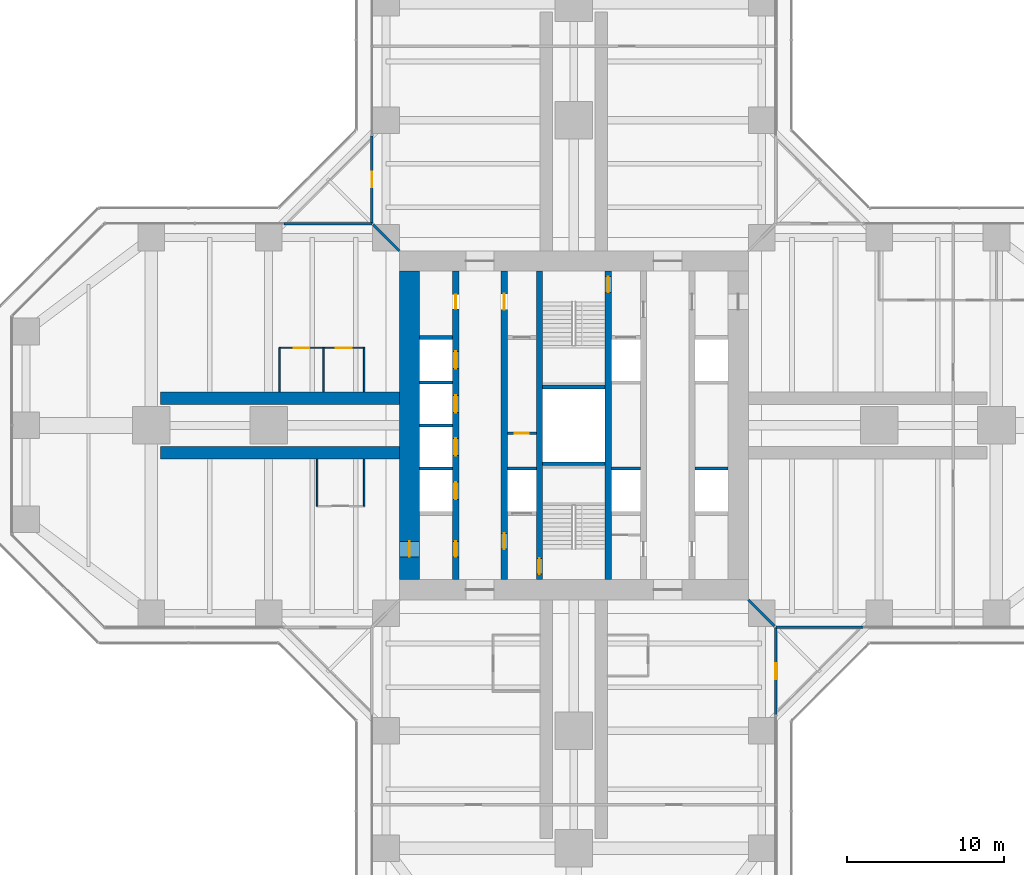
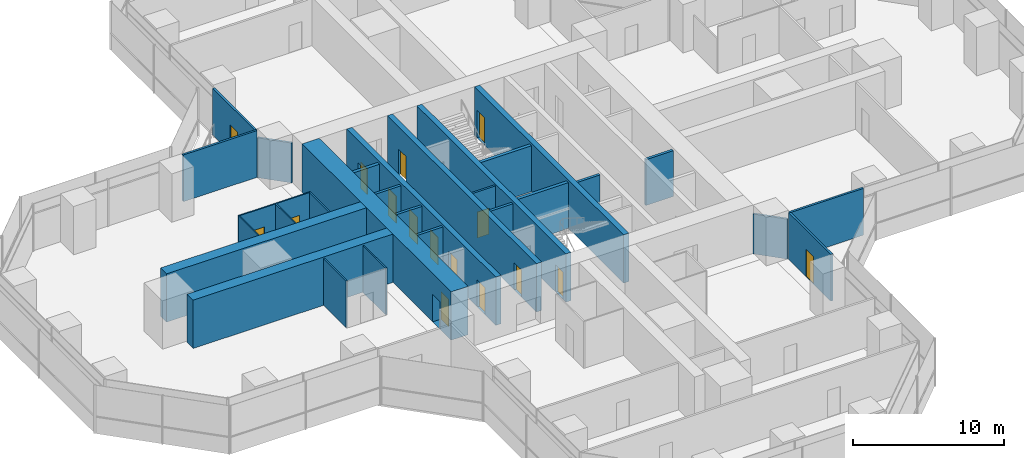
# One storey, part 18 of 22: 30 walls, 16 doors, 16 openings.
"""IFC4 building model written with IfcOpenShell, lengths in metres."""

from ifc_helpers import new_model, si_unit, direction, frame, frame_2d, origin, place, context, subcontext, project, spatial, rectangle, extrude, material, layer, layer_set, type_object, element, fill, save


model = new_model("IFC4")

# Units and contexts
model_context = context("Model", 3, precision=1e-05, world=origin(), true_north=direction((0.0, 1.0)))
body_context = subcontext(model_context, "Body", "Model", "MODEL_VIEW")
ifc_project = project(units=[si_unit("LENGTHUNIT", "METRE"), si_unit("AREAUNIT", "SQUARE_METRE"), si_unit("VOLUMEUNIT", "CUBIC_METRE"), si_unit("PLANEANGLEUNIT", "RADIAN"), si_unit("MASSUNIT", "GRAM", prefix="KILO")], contexts=[model_context])

# Site, building, storey
site_placement = place(None, origin())
site = spatial("IfcSite", under=ifc_project, at=site_placement, CompositionType="ELEMENT")
building_placement = place(site_placement, origin())
building = spatial("IfcBuilding", under=site, at=building_placement, Name="Mizan Broadcast Tower", CompositionType="ELEMENT")
storey_placement = place(building_placement, frame((0.0, 0.0, 94.199951171875)))
storey = spatial("IfcBuildingStorey", under=building, at=storey_placement, Name="L20", CompositionType="ELEMENT", Elevation=94.199951171875)

# Wall, openings, doors
ifc_material_1 = material(Name="Concrete C70/85", Category="concrete")
ifc_layer_1 = layer(ifc_material_1, 0.39990234375)
ifc_layer_set_1 = layer_set([ifc_layer_1], Name="Concrete C70/85")
wall_type_1 = type_object("IfcWallType", Name="CORE INTERNAL WALL 400", PredefinedType="SHEAR", material=ifc_layer_set_1)
wall_1_placement = place(storey_placement, frame((-7.550048828125, -9.85009765625, 0.0), z_axis=(0.0, 0.0, 1.0), x_axis=(0.0, 1.0, 0.0)))
wall_1 = element("IfcWall", 1, at=wall_1_placement, inside=storey, type_object=wall_type_1, Name="Core wall CORE/XW1", PredefinedType="SHEAR", context=body_context, shape_type="SweptSolid", body=[
    extrude(rectangle(XDim=19.7001953125, YDim=0.39990234375, at=frame_2d((9.85009765625, 0.0))), origin(), (0.0, 0.0, 1.0), 3.900146484375),
])
opening_1_placement = place(wall_1_placement, frame((1.449951171875, 0.0, 0.0)))
opening_1 = element("IfcOpeningElement", 2, at=opening_1_placement, cuts=wall_1, Name="Opening D10F", PredefinedType="OPENING", context=body_context, shape_type="SweptSolid", body=[
    extrude(rectangle(XDim=1.0, YDim=2.199951171875, at=frame_2d((0.5, 1.10009765625))), frame((0.0, 0.2099609375, 0.0), z_axis=(0.0, -1.0, 0.0), x_axis=(1.0, 0.0, 0.0)), (0.0, 0.0, 1.0), 0.419921875),
])
opening_2_placement = place(wall_1_placement, frame((17.300048828125, 0.0, 0.0)))
opening_2 = element("IfcOpeningElement", 3, at=opening_2_placement, cuts=wall_1, Name="Opening D09", PredefinedType="OPENING", context=body_context, shape_type="SweptSolid", body=[
    extrude(rectangle(XDim=0.89990234375, YDim=2.10009765625, at=frame_2d((0.449951171875, 1.050048828125))), frame((0.0, 0.2099609375, 0.0), z_axis=(0.0, -1.0, 0.0), x_axis=(1.0, 0.0, 0.0)), (0.0, 0.0, 1.0), 0.419921875),
])
opening_3_placement = place(wall_1_placement, frame((5.125, 0.0, 0.0)))
opening_3 = element("IfcOpeningElement", 4, at=opening_3_placement, cuts=wall_1, Name="Opening LD", PredefinedType="OPENING", context=body_context, shape_type="SweptSolid", body=[
    extrude(rectangle(XDim=1.10009765625, YDim=2.199951171875, at=frame_2d((0.550048828125, 1.10009765625))), frame((0.0, 0.2099609375, 0.0), z_axis=(0.0, -1.0, 0.0), x_axis=(1.0, 0.0, 0.0)), (0.0, 0.0, 1.0), 0.419921875),
])
opening_4_placement = place(wall_1_placement, frame((7.925048828125, 0.0, 0.0)))
opening_4 = element("IfcOpeningElement", 5, at=opening_4_placement, cuts=wall_1, Name="Opening LD", PredefinedType="OPENING", context=body_context, shape_type="SweptSolid", body=[
    extrude(rectangle(XDim=1.10009765625, YDim=2.199951171875, at=frame_2d((0.550048828125, 1.10009765625))), frame((0.0, 0.2099609375, 0.0), z_axis=(0.0, -1.0, 0.0), x_axis=(1.0, 0.0, 0.0)), (0.0, 0.0, 1.0), 0.419921875),
])
opening_5_placement = place(wall_1_placement, frame((10.675048828125, 0.0, 0.0)))
opening_5 = element("IfcOpeningElement", 6, at=opening_5_placement, cuts=wall_1, Name="Opening LD", PredefinedType="OPENING", context=body_context, shape_type="SweptSolid", body=[
    extrude(rectangle(XDim=1.10009765625, YDim=2.199951171875, at=frame_2d((0.550048828125, 1.10009765625))), frame((0.0, 0.2099609375, 0.0), z_axis=(0.0, -1.0, 0.0), x_axis=(1.0, 0.0, 0.0)), (0.0, 0.0, 1.0), 0.419921875),
])
opening_6_placement = place(wall_1_placement, frame((13.47509765625, 0.0, 0.0)))
opening_6 = element("IfcOpeningElement", 7, at=opening_6_placement, cuts=wall_1, Name="Opening LD", PredefinedType="OPENING", context=body_context, shape_type="SweptSolid", body=[
    extrude(rectangle(XDim=1.10009765625, YDim=2.199951171875, at=frame_2d((0.550048828125, 1.10009765625))), frame((0.0, 0.2099609375, 0.0), z_axis=(0.0, -1.0, 0.0), x_axis=(1.0, 0.0, 0.0)), (0.0, 0.0, 1.0), 0.419921875),
])
ifc_material_2 = material(Name="Steel door leaf in steel frame", Category="steel")
door_type_1 = type_object("IfcDoorType", Name="FIRE DOOR 1000 FD90", OperationType="SINGLE_SWING_LEFT", PredefinedType="DOOR", material=ifc_material_2)
door_1_placement = place(opening_1_placement, origin())
door_1 = element("IfcDoor", 8, at=door_1_placement, inside=storey, type_object=door_type_1, Name="West core passage door", OperationType="SINGLE_SWING_LEFT", OverallHeight=2.199951171875, OverallWidth=1.0, PredefinedType="DOOR", context=body_context, shape_type="SweptSolid", body=[
    extrude(rectangle(XDim=1.0, YDim=2.199951171875, at=frame_2d((0.5, 1.10009765625))), frame((0.0, 0.02490234375, 0.0), z_axis=(0.0, -1.0, 0.0), x_axis=(1.0, 0.0, 0.0)), (0.0, 0.0, 1.0), 0.050048828125),
])
fill(opening_1, door_1)
ifc_material_3 = material(Name="Steel door leaf in steel frame", Category="steel")
door_type_2 = type_object("IfcDoorType", Name="LIFT LANDING DOOR 1100", OperationType="SLIDING_TO_LEFT", PredefinedType="DOOR", material=ifc_material_3)
door_2_placement = place(opening_3_placement, origin())
door_2 = element("IfcDoor", 9, at=door_2_placement, inside=storey, type_object=door_type_2, Name="Landing door LA1", OperationType="SLIDING_TO_LEFT", OverallHeight=2.199951171875, OverallWidth=1.10009765625, PredefinedType="DOOR", context=body_context, shape_type="SweptSolid", body=[
    extrude(rectangle(XDim=1.10009765625, YDim=2.199951171875, at=frame_2d((0.550048828125, 1.10009765625))), frame((0.0, 0.02490234375, 0.0), z_axis=(0.0, -1.0, 0.0), x_axis=(1.0, 0.0, 0.0)), (0.0, 0.0, 1.0), 0.050048828125),
])
fill(opening_3, door_2)
door_3_placement = place(opening_4_placement, origin())
door_3 = element("IfcDoor", 10, at=door_3_placement, inside=storey, type_object=door_type_2, Name="Landing door LA2", OperationType="SLIDING_TO_LEFT", OverallHeight=2.199951171875, OverallWidth=1.10009765625, PredefinedType="DOOR", context=body_context, shape_type="SweptSolid", body=[
    extrude(rectangle(XDim=1.10009765625, YDim=2.199951171875, at=frame_2d((0.550048828125, 1.10009765625))), frame((0.0, 0.02490234375, 0.0), z_axis=(0.0, -1.0, 0.0), x_axis=(1.0, 0.0, 0.0)), (0.0, 0.0, 1.0), 0.050048828125),
])
fill(opening_4, door_3)
door_4_placement = place(opening_5_placement, origin())
door_4 = element("IfcDoor", 11, at=door_4_placement, inside=storey, type_object=door_type_2, Name="Landing door LA3", OperationType="SLIDING_TO_LEFT", OverallHeight=2.199951171875, OverallWidth=1.10009765625, PredefinedType="DOOR", context=body_context, shape_type="SweptSolid", body=[
    extrude(rectangle(XDim=1.10009765625, YDim=2.199951171875, at=frame_2d((0.550048828125, 1.10009765625))), frame((0.0, 0.02490234375, 0.0), z_axis=(0.0, -1.0, 0.0), x_axis=(1.0, 0.0, 0.0)), (0.0, 0.0, 1.0), 0.050048828125),
])
fill(opening_5, door_4)
door_5_placement = place(opening_6_placement, origin())
door_5 = element("IfcDoor", 12, at=door_5_placement, inside=storey, type_object=door_type_2, Name="Landing door LA4", OperationType="SLIDING_TO_LEFT", OverallHeight=2.199951171875, OverallWidth=1.10009765625, PredefinedType="DOOR", context=body_context, shape_type="SweptSolid", body=[
    extrude(rectangle(XDim=1.10009765625, YDim=2.199951171875, at=frame_2d((0.550048828125, 1.10009765625))), frame((0.0, 0.02490234375, 0.0), z_axis=(0.0, -1.0, 0.0), x_axis=(1.0, 0.0, 0.0)), (0.0, 0.0, 1.0), 0.050048828125),
])
fill(opening_6, door_5)
ifc_material_4 = material(Name="Timber door leaf in aluminium frame", Category="wood")
door_type_3 = type_object("IfcDoorType", Name="TOILET DOOR 900", OperationType="SINGLE_SWING_LEFT", PredefinedType="DOOR", material=ifc_material_4)
door_6_placement = place(opening_2_placement, origin())
door_6 = element("IfcDoor", 13, at=door_6_placement, inside=storey, type_object=door_type_3, Name="Male WC door", OperationType="SINGLE_SWING_RIGHT", OverallHeight=2.10009765625, OverallWidth=0.89990234375, PredefinedType="DOOR", context=body_context, shape_type="SweptSolid", body=[
    extrude(rectangle(XDim=0.89990234375, YDim=2.10009765625, at=frame_2d((0.449951171875, 1.050048828125))), frame((0.0, 0.02490234375, 0.0), z_axis=(0.0, -1.0, 0.0), x_axis=(1.0, 0.0, 0.0)), (0.0, 0.0, 1.0), 0.050048828125),
])
fill(opening_2, door_6)

wall_2_placement = place(storey_placement, frame((-4.449951171875, -9.85009765625, 0.0), z_axis=(0.0, 0.0, 1.0), x_axis=(0.0, 1.0, 0.0)))
wall_2 = element("IfcWall", 14, at=wall_2_placement, inside=storey, type_object=wall_type_1, Name="Core wall CORE/XWH", PredefinedType="SHEAR", context=body_context, shape_type="SweptSolid", body=[
    extrude(rectangle(XDim=19.7001953125, YDim=0.39990234375, at=frame_2d((9.85009765625, 0.0))), origin(), (0.0, 0.0, 1.0), 3.900146484375),
])
opening_7_placement = place(wall_2_placement, frame((1.949951171875, 0.0, 0.0)))
opening_7 = element("IfcOpeningElement", 15, at=opening_7_placement, cuts=wall_2, Name="Opening D10F", PredefinedType="OPENING", context=body_context, shape_type="SweptSolid", body=[
    extrude(rectangle(XDim=1.0, YDim=2.199951171875, at=frame_2d((0.5, 1.10009765625))), frame((0.0, 0.2099609375, 0.0), z_axis=(0.0, -1.0, 0.0), x_axis=(1.0, 0.0, 0.0)), (0.0, 0.0, 1.0), 0.419921875),
])
opening_8_placement = place(wall_2_placement, frame((17.25, 0.0, 0.0)))
opening_8 = element("IfcOpeningElement", 16, at=opening_8_placement, cuts=wall_2, Name="Opening D10A", PredefinedType="OPENING", context=body_context, shape_type="SweptSolid", body=[
    extrude(rectangle(XDim=1.0, YDim=2.10009765625, at=frame_2d((0.5, 1.050048828125))), frame((0.0, 0.2099609375, 0.0), z_axis=(0.0, -1.0, 0.0), x_axis=(1.0, 0.0, 0.0)), (0.0, 0.0, 1.0), 0.419921875),
])
ifc_material_5 = material(Name="Timber door leaf in aluminium frame", Category="wood")
door_type_4 = type_object("IfcDoorType", Name="ACCESSIBLE WC DOOR 1000", OperationType="SLIDING_TO_LEFT", PredefinedType="DOOR", material=ifc_material_5)
door_7_placement = place(opening_8_placement, origin())
door_7 = element("IfcDoor", 17, at=door_7_placement, inside=storey, type_object=door_type_4, Name="Accessible WC door", OperationType="SLIDING_TO_LEFT", OverallHeight=2.10009765625, OverallWidth=1.0, PredefinedType="DOOR", context=body_context, shape_type="SweptSolid", body=[
    extrude(rectangle(XDim=1.0, YDim=2.10009765625, at=frame_2d((0.5, 1.050048828125))), frame((0.0, 0.02490234375, 0.0), z_axis=(0.0, -1.0, 0.0), x_axis=(1.0, 0.0, 0.0)), (0.0, 0.0, 1.0), 0.050048828125),
])
fill(opening_8, door_7)
door_8_placement = place(opening_7_placement, origin())
door_8 = element("IfcDoor", 18, at=door_8_placement, inside=storey, type_object=door_type_1, Name="Firefighting lobby A door", OperationType="SINGLE_SWING_LEFT", OverallHeight=2.199951171875, OverallWidth=1.0, PredefinedType="DOOR", context=body_context, shape_type="SweptSolid", body=[
    extrude(rectangle(XDim=1.0, YDim=2.199951171875, at=frame_2d((0.5, 1.10009765625))), frame((0.0, 0.02490234375, 0.0), z_axis=(0.0, -1.0, 0.0), x_axis=(1.0, 0.0, 0.0)), (0.0, 0.0, 1.0), 0.050048828125),
])
fill(opening_7, door_8)

# Wall, opening, door
wall_3_placement = place(storey_placement, frame((-2.199951171875, -9.85009765625, 0.0), z_axis=(0.0, 0.0, 1.0), x_axis=(0.0, 1.0, 0.0)))
wall_3 = element("IfcWall", 19, at=wall_3_placement, inside=storey, type_object=wall_type_1, Name="Core wall CORE/XW2", PredefinedType="SHEAR", context=body_context, shape_type="SweptSolid", body=[
    extrude(rectangle(XDim=19.7001953125, YDim=0.39990234375, at=frame_2d((9.85009765625, 0.0))), origin(), (0.0, 0.0, 1.0), 3.900146484375),
])
opening_9_placement = place(wall_3_placement, frame((0.35009765625, 0.0, 0.0)))
opening_9 = element("IfcOpeningElement", 20, at=opening_9_placement, cuts=wall_3, Name="Opening D10S", PredefinedType="OPENING", context=body_context, shape_type="SweptSolid", body=[
    extrude(rectangle(XDim=1.0, YDim=2.199951171875, at=frame_2d((0.5, 1.10009765625))), frame((0.0, 0.2099609375, 0.0), z_axis=(0.0, -1.0, 0.0), x_axis=(1.0, 0.0, 0.0)), (0.0, 0.0, 1.0), 0.419921875),
])
ifc_material_6 = material(Name="Steel door leaf in steel frame", Category="steel")
door_type_5 = type_object("IfcDoorType", Name="STAIR DOOR 1000 FD90S", OperationType="SINGLE_SWING_RIGHT", PredefinedType="DOOR", material=ifc_material_6)
door_9_placement = place(opening_9_placement, origin())
door_9 = element("IfcDoor", 21, at=door_9_placement, inside=storey, type_object=door_type_5, Name="Stair A door", OperationType="SINGLE_SWING_RIGHT", OverallHeight=2.199951171875, OverallWidth=1.0, PredefinedType="DOOR", context=body_context, shape_type="SweptSolid", body=[
    extrude(rectangle(XDim=1.0, YDim=2.199951171875, at=frame_2d((0.5, 1.10009765625))), frame((0.0, 0.02490234375, 0.0), z_axis=(0.0, -1.0, 0.0), x_axis=(1.0, 0.0, 0.0)), (0.0, 0.0, 1.0), 0.050048828125),
])
fill(opening_9, door_9)

wall_4_placement = place(storey_placement, frame((2.199951171875, 9.85009765625, 0.0), z_axis=(0.0, 0.0, 1.0), x_axis=(0.0, -1.0, 0.0)))
wall_4 = element("IfcWall", 22, at=wall_4_placement, inside=storey, type_object=wall_type_1, Name="Core wall CORE/XW2E", PredefinedType="SHEAR", context=body_context, shape_type="SweptSolid", body=[
    extrude(rectangle(XDim=19.7001953125, YDim=0.39990234375, at=frame_2d((9.85009765625, 0.0))), origin(), (0.0, 0.0, 1.0), 3.900146484375),
])
opening_10_placement = place(wall_4_placement, frame((0.35009765625, 0.0, 0.0)))
opening_10 = element("IfcOpeningElement", 23, at=opening_10_placement, cuts=wall_4, Name="Opening D10S", PredefinedType="OPENING", context=body_context, shape_type="SweptSolid", body=[
    extrude(rectangle(XDim=1.0, YDim=2.199951171875, at=frame_2d((0.5, 1.10009765625))), frame((0.0, 0.2099609375, 0.0), z_axis=(0.0, -1.0, 0.0), x_axis=(1.0, 0.0, 0.0)), (0.0, 0.0, 1.0), 0.419921875),
])
door_10_placement = place(opening_10_placement, origin())
door_10 = element("IfcDoor", 24, at=door_10_placement, inside=storey, type_object=door_type_5, Name="Stair B door", OperationType="SINGLE_SWING_RIGHT", OverallHeight=2.199951171875, OverallWidth=1.0, PredefinedType="DOOR", context=body_context, shape_type="SweptSolid", body=[
    extrude(rectangle(XDim=1.0, YDim=2.199951171875, at=frame_2d((0.5, 1.10009765625))), frame((0.0, 0.02490234375, 0.0), z_axis=(0.0, -1.0, 0.0), x_axis=(1.0, 0.0, 0.0)), (0.0, 0.0, 1.0), 0.050048828125),
])
fill(opening_10, door_10)

ifc_material_7 = material(Name="Concrete blockwork", Category="masonry")
ifc_layer_2 = layer(ifc_material_7, 0.14990234375)
ifc_layer_set_2 = layer_set([ifc_layer_2], Name="Concrete blockwork")
wall_type_2 = type_object("IfcWallType", Name="CORE PARTITION 150", PredefinedType="SOLIDWALL", material=ifc_layer_set_2)
wall_5_placement = place(storey_placement, frame((-4.25, -0.5, 0.0), z_axis=(0.0, 0.0, 1.0), x_axis=(1.0, 0.0, 0.0)))
wall_5 = element("IfcWall", 25, at=wall_5_placement, inside=storey, type_object=wall_type_2, Name="Core partition CORE/XP2", PredefinedType="SOLIDWALL", context=body_context, shape_type="SweptSolid", body=[
    extrude(rectangle(XDim=1.85009765625, YDim=0.14990234375, at=frame_2d((0.925048828125, 0.0))), origin(), (0.0, 0.0, 1.0), 3.77001953125),
])
opening_11_placement = place(wall_5_placement, frame((0.47509765625, 0.0, 0.0)))
opening_11 = element("IfcOpeningElement", 26, at=opening_11_placement, cuts=wall_5, Name="Opening D09F", PredefinedType="OPENING", context=body_context, shape_type="SweptSolid", body=[
    extrude(rectangle(XDim=0.89990234375, YDim=2.10009765625, at=frame_2d((0.449951171875, 1.050048828125))), frame((0.0, 0.0849609375, 0.0), z_axis=(0.0, -1.0, 0.0), x_axis=(1.0, 0.0, 0.0)), (0.0, 0.0, 1.0), 0.169921875),
])
ifc_material_8 = material(Name="Steel door leaf in steel frame", Category="steel")
door_type_6 = type_object("IfcDoorType", Name="CORE ROOM DOOR 900 FD90", OperationType="SINGLE_SWING_LEFT", PredefinedType="DOOR", material=ifc_material_8)
door_11_placement = place(opening_11_placement, origin())
door_11 = element("IfcDoor", 27, at=door_11_placement, inside=storey, type_object=door_type_6, Name="Staff shower room door", OperationType="SINGLE_SWING_RIGHT", OverallHeight=2.10009765625, OverallWidth=0.89990234375, PredefinedType="DOOR", context=body_context, shape_type="SweptSolid", body=[
    extrude(rectangle(XDim=0.89990234375, YDim=2.10009765625, at=frame_2d((0.449951171875, 1.050048828125))), frame((0.0, 0.02490234375, 0.0), z_axis=(0.0, -1.0, 0.0), x_axis=(1.0, 0.0, 0.0)), (0.0, 0.0, 1.0), 0.050048828125),
])
fill(opening_11, door_11)

ifc_material_9 = material(Name="Concrete C70/85", Category="concrete")
ifc_layer_3 = layer(ifc_material_9, 1.300048828125)
ifc_layer_set_3 = layer_set([ifc_layer_3], Name="Concrete C70/85")
wall_type_3 = type_object("IfcWallType", Name="CORE WALL 1300", PredefinedType="SHEAR", material=ifc_layer_set_3)
wall_6_placement = place(storey_placement, frame((-10.5, 9.85009765625, 0.0), z_axis=(0.0, 0.0, 1.0), x_axis=(0.0, -1.0, 0.0)))
wall_6 = element("IfcWall", 28, at=wall_6_placement, inside=storey, type_object=wall_type_3, Name="Core wall W L20", PredefinedType="SHEAR", context=body_context, shape_type="SweptSolid", body=[
    extrude(rectangle(XDim=19.7001953125, YDim=1.300048828125, at=frame_2d((9.85009765625, 0.0))), origin(), (0.0, 0.0, 1.0), 3.900146484375),
])
opening_12_placement = place(wall_6_placement, frame((17.25, 0.0, 0.0)))
opening_12 = element("IfcOpeningElement", 29, at=opening_12_placement, cuts=wall_6, Name="Opening D10F", PredefinedType="OPENING", context=body_context, shape_type="SweptSolid", body=[
    extrude(rectangle(XDim=1.0, YDim=2.199951171875, at=frame_2d((0.5, 1.10009765625))), frame((0.0, 0.659912109375, 0.0), z_axis=(0.0, -1.0, 0.0), x_axis=(1.0, 0.0, 0.0)), (0.0, 0.0, 1.0), 1.320068359375),
])
door_12_placement = place(opening_12_placement, origin())
door_12 = element("IfcDoor", 30, at=door_12_placement, inside=storey, type_object=door_type_1, Name="West core passage arm door", OperationType="SINGLE_SWING_RIGHT", OverallHeight=2.199951171875, OverallWidth=1.0, PredefinedType="DOOR", context=body_context, shape_type="SweptSolid", body=[
    extrude(rectangle(XDim=1.0, YDim=2.199951171875, at=frame_2d((0.5, 1.10009765625))), frame((0.0, 0.02490234375, 0.0), z_axis=(0.0, -1.0, 0.0), x_axis=(1.0, 0.0, 0.0)), (0.0, 0.0, 1.0), 0.050048828125),
])
fill(opening_12, door_12)

# Wall
ifc_material_10 = material(Name="Aluminium framed glazed screen", Category="aluminium")
ifc_layer_4 = layer(ifc_material_10, 0.159912109375)
ifc_layer_set_4 = layer_set([ifc_layer_4], Name="Aluminium framed glazed screen")
wall_type_4 = type_object("IfcWallType", Name="GLAZED SCREEN WALL 160", PredefinedType="SOLIDWALL", material=ifc_layer_set_4)
wall_7_placement = place(storey_placement, frame((12.89990234375, -12.89990234375, 0.0), z_axis=(0.0, 0.0, 1.0), x_axis=(1.0, 0.0, 0.0)))
element("IfcWall", 31, at=wall_7_placement, inside=storey, type_object=wall_type_4, Name="Winter garden screen L20 E", PredefinedType="SOLIDWALL", context=body_context, shape_type="SweptSolid", body=[
    extrude(rectangle(XDim=5.60009765625, YDim=0.159912109375, at=frame_2d((2.800048828125, 0.0))), origin(), (0.0, 0.0, 1.0), 3.77001953125),
])

# Wall, opening, door
wall_8_placement = place(storey_placement, frame((-12.89990234375, 18.5, 0.0), z_axis=(0.0, 0.0, 1.0), x_axis=(0.0, -1.0, 0.0)))
wall_8 = element("IfcWall", 32, at=wall_8_placement, inside=storey, type_object=wall_type_4, Name="Winter garden screen L20 N", PredefinedType="SOLIDWALL", context=body_context, shape_type="SweptSolid", body=[
    extrude(rectangle(XDim=5.60009765625, YDim=0.159912109375, at=frame_2d((2.800048828125, 0.0))), origin(), (0.0, 0.0, 1.0), 3.77001953125),
])
opening_13_placement = place(wall_8_placement, frame((2.300048828125, 0.0, 0.0)))
opening_13 = element("IfcOpeningElement", 33, at=opening_13_placement, cuts=wall_8, Name="Opening WGD", PredefinedType="OPENING", context=body_context, shape_type="SweptSolid", body=[
    extrude(rectangle(XDim=1.0, YDim=2.199951171875, at=frame_2d((0.5, 1.10009765625))), frame((0.0, 0.08984375, 0.0), z_axis=(0.0, -1.0, 0.0), x_axis=(1.0, 0.0, 0.0)), (0.0, 0.0, 1.0), 0.179931640625),
])
ifc_material_11 = material(Name="Aluminium framed glazed door", Category="aluminium")
door_type_7 = type_object("IfcDoorType", Name="WINTER GARDEN DOOR 1000 GLAZED", OperationType="SINGLE_SWING_LEFT", PredefinedType="DOOR", material=ifc_material_11)
door_13_placement = place(opening_13_placement, origin())
door_13 = element("IfcDoor", 34, at=door_13_placement, inside=storey, type_object=door_type_7, Name="Winter garden door L20 N", OperationType="SINGLE_SWING_RIGHT", OverallHeight=2.199951171875, OverallWidth=1.0, PredefinedType="DOOR", context=body_context, shape_type="SweptSolid", body=[
    extrude(rectangle(XDim=1.0, YDim=2.199951171875, at=frame_2d((0.5, 1.10009765625))), frame((0.0, 0.02490234375, 0.0), z_axis=(0.0, -1.0, 0.0), x_axis=(1.0, 0.0, 0.0)), (0.0, 0.0, 1.0), 0.050048828125),
])
fill(opening_13, door_13)

# Wall
wall_9_placement = place(storey_placement, frame((-12.89990234375, 12.89990234375, 0.0), z_axis=(0.0, 0.0, 1.0), x_axis=(-1.0, 0.0, 0.0)))
element("IfcWall", 35, at=wall_9_placement, inside=storey, type_object=wall_type_4, Name="Winter garden screen L20 W", PredefinedType="SOLIDWALL", context=body_context, shape_type="SweptSolid", body=[
    extrude(rectangle(XDim=5.60009765625, YDim=0.159912109375, at=frame_2d((2.800048828125, 0.0))), origin(), (0.0, 0.0, 1.0), 3.77001953125),
])

# Wall, opening, door
wall_10_placement = place(storey_placement, frame((12.89990234375, -18.5, 0.0), z_axis=(0.0, 0.0, 1.0), x_axis=(0.0, 1.0, 0.0)))
wall_10 = element("IfcWall", 36, at=wall_10_placement, inside=storey, type_object=wall_type_4, Name="Winter garden screen L20 S", PredefinedType="SOLIDWALL", context=body_context, shape_type="SweptSolid", body=[
    extrude(rectangle(XDim=5.60009765625, YDim=0.159912109375, at=frame_2d((2.800048828125, 0.0))), origin(), (0.0, 0.0, 1.0), 3.77001953125),
])
opening_14_placement = place(wall_10_placement, frame((2.300048828125, 0.0, 0.0)))
opening_14 = element("IfcOpeningElement", 37, at=opening_14_placement, cuts=wall_10, Name="Opening WGD", PredefinedType="OPENING", context=body_context, shape_type="SweptSolid", body=[
    extrude(rectangle(XDim=1.0, YDim=2.199951171875, at=frame_2d((0.5, 1.10009765625))), frame((0.0, 0.08984375, 0.0), z_axis=(0.0, -1.0, 0.0), x_axis=(1.0, 0.0, 0.0)), (0.0, 0.0, 1.0), 0.179931640625),
])
door_14_placement = place(opening_14_placement, origin())
door_14 = element("IfcDoor", 38, at=door_14_placement, inside=storey, type_object=door_type_7, Name="Winter garden door L20 S", OperationType="SINGLE_SWING_RIGHT", OverallHeight=2.199951171875, OverallWidth=1.0, PredefinedType="DOOR", context=body_context, shape_type="SweptSolid", body=[
    extrude(rectangle(XDim=1.0, YDim=2.199951171875, at=frame_2d((0.5, 1.10009765625))), frame((0.0, 0.02490234375, 0.0), z_axis=(0.0, -1.0, 0.0), x_axis=(1.0, 0.0, 0.0)), (0.0, 0.0, 1.0), 0.050048828125),
])
fill(opening_14, door_14)

# Walls
ifc_material_12 = material(Name="Concrete blockwork", Category="masonry")
ifc_layer_5 = layer(ifc_material_12, 0.199951171875)
ifc_layer_set_5 = layer_set([ifc_layer_5], Name="Concrete blockwork")
wall_type_5 = type_object("IfcWallType", Name="LIFT SHAFT WALL 200", PredefinedType="SOLIDWALL", material=ifc_layer_set_5)
wall_11_placement = place(storey_placement, frame((-9.85009765625, -2.75, 0.0), z_axis=(0.0, 0.0, 1.0), x_axis=(1.0, 0.0, 0.0)))
element("IfcWall", 39, at=wall_11_placement, inside=storey, type_object=wall_type_5, Name="Lift shaft wall CORE/SW1-1", PredefinedType="SOLIDWALL", context=body_context, shape_type="SweptSolid", body=[
    extrude(rectangle(XDim=2.10009765625, YDim=0.199951171875, at=frame_2d((1.050048828125, 0.0))), origin(), (0.0, 0.0, 1.0), 3.699951171875),
])
for number, where, z_axis, x_axis, name in (
    (40, (-4.25, -2.75, 0.0), (0.0, 0.0, 1.0), (1.0, 0.0, 0.0), "Lift shaft wall CORE/SW2-1"),
    (41, (2.39990234375, -2.75, 0.0), (0.0, 0.0, 1.0), (1.0, 0.0, 0.0), "Lift shaft wall CORE/SE2-1"),
):
    element("IfcWall", number, at=place(storey_placement, frame(where, z_axis=z_axis, x_axis=x_axis)), inside=storey, type_object=wall_type_5, Name=name, PredefinedType="SOLIDWALL", context=body_context, shape_type="SweptSolid", body=[
        extrude(rectangle(XDim=1.85009765625, YDim=0.199951171875, at=frame_2d((0.925048828125, 0.0))), origin(), (0.0, 0.0, 1.0), 3.699951171875),
    ])
for number, where, z_axis, x_axis, name in (
    (42, (7.75, -2.75, 0.0), (0.0, 0.0, 1.0), (1.0, 0.0, 0.0), "Lift shaft wall CORE/SE1-1"),
    (43, (-9.85009765625, 0.0, 0.0), (0.0, 0.0, 1.0), (1.0, 0.0, 0.0), "Lift shaft wall CORE/SW1-2"),
    (44, (-9.85009765625, 2.75, 0.0), (0.0, 0.0, 1.0), (1.0, 0.0, 0.0), "Lift shaft wall CORE/SW1-3"),
):
    element("IfcWall", number, at=place(storey_placement, frame(where, z_axis=z_axis, x_axis=x_axis)), inside=storey, type_object=wall_type_5, Name=name, PredefinedType="SOLIDWALL", context=body_context, shape_type="SweptSolid", body=[
        extrude(rectangle(XDim=2.10009765625, YDim=0.199951171875, at=frame_2d((1.050048828125, 0.0))), origin(), (0.0, 0.0, 1.0), 3.699951171875),
    ])
ifc_material_13 = material(Name="Concrete blockwork", Category="masonry")
ifc_layer_6 = layer(ifc_material_13, 0.25)
ifc_layer_set_6 = layer_set([ifc_layer_6], Name="Concrete blockwork")
wall_type_6 = type_object("IfcWallType", Name="LOBBY ENCLOSURE WALL 250", PredefinedType="SOLIDWALL", material=ifc_layer_set_6)
wall_12_placement = place(storey_placement, frame((-9.85009765625, 5.625, 0.0), z_axis=(0.0, 0.0, 1.0), x_axis=(1.0, 0.0, 0.0)))
element("IfcWall", 45, at=wall_12_placement, inside=storey, type_object=wall_type_6, Name="Lobby enclosure wall CORE/BW1N", PredefinedType="SOLIDWALL", context=body_context, shape_type="SweptSolid", body=[
    extrude(rectangle(XDim=2.10009765625, YDim=0.25, at=frame_2d((1.050048828125, 0.0))), origin(), (0.0, 0.0, 1.0), 3.699951171875),
])
for number, where, z_axis, x_axis, name in (
    (46, (-2.0, -2.449951171875, 0.0), (0.0, 0.0, 1.0), (1.0, 0.0, 0.0), "Lobby enclosure wall CORE/STA"),
    (47, (-2.0, 2.449951171875, 0.0), (0.0, 0.0, 1.0), (1.0, 0.0, 0.0), "Lobby enclosure wall CORE/STB"),
):
    element("IfcWall", number, at=place(storey_placement, frame(where, z_axis=z_axis, x_axis=x_axis)), inside=storey, type_object=wall_type_6, Name=name, PredefinedType="SOLIDWALL", context=body_context, shape_type="SweptSolid", body=[
        extrude(rectangle(XDim=4.0, YDim=0.25, at=frame_2d((2.0, 0.0))), origin(), (0.0, 0.0, 1.0), 3.699951171875),
    ])
ifc_material_14 = material(Name="Gypsum board on steel studs", Category="steel")
ifc_layer_7 = layer(ifc_material_14, 0.14990234375)
ifc_layer_set_7 = layer_set([ifc_layer_7], Name="Gypsum board on steel studs")
wall_type_7 = type_object("IfcWallType", Name="PARTITION 150", PredefinedType="PARTITIONING", material=ifc_layer_set_7)
for number, where, z_axis, x_axis, name in (
    (48, (-11.14990234375, 11.14990234375, 0.0), (0.0, 0.0, 1.0), (-0.707106781187, 0.707106781187, 0.0), "Partition PT/DGWN"),
    (49, (11.14990234375, -11.14990234375, 0.0), (0.0, 0.0, 1.0), (0.707106781187, -0.707106781187, 0.0), "Partition PT/DGES"),
):
    element("IfcWall", number, at=place(storey_placement, frame(where, z_axis=z_axis, x_axis=x_axis)), inside=storey, type_object=wall_type_7, Name=name, PredefinedType="PARTITIONING", context=body_context, shape_type="SweptSolid", body=[
        extrude(rectangle(XDim=2.362060546875, YDim=0.14990234375, at=frame_2d((1.18115234375, 0.0))), origin(), (0.0, 0.0, 1.0), 3.219970703125),
    ])
ifc_material_15 = material(Name="Glazed aluminium partition on aluminium track", Category="aluminium")
ifc_layer_8 = layer(ifc_material_15, 0.10009765625)
ifc_layer_set_8 = layer_set([ifc_layer_8], Name="Glazed aluminium partition on aluminium track")
wall_type_8 = type_object("IfcWallType", Name="PARTITION GLAZED OFFICE FRONT 100", PredefinedType="PARTITIONING", material=ifc_layer_set_8)
for number, where, z_axis, x_axis, name in (
    (50, (-13.39990234375, -2.14990234375, 0.0), (0.0, 0.0, 1.0), (0.0, -1.0, 0.0), "Glazed office front PT/WKP0a"),
    (51, (-16.39990234375, -2.14990234375, 0.0), (0.0, 0.0, 1.0), (0.0, -1.0, 0.0), "Glazed office front PT/WKP0b"),
):
    element("IfcWall", number, at=place(storey_placement, frame(where, z_axis=z_axis, x_axis=x_axis)), inside=storey, type_object=wall_type_8, Name=name, PredefinedType="PARTITIONING", context=body_context, shape_type="SweptSolid", body=[
        extrude(rectangle(XDim=3.0, YDim=0.10009765625, at=frame_2d((1.5, 0.0))), origin(), (0.0, 0.0, 1.0), 3.77001953125),
    ])
for number, where, z_axis, x_axis, name in (
    (52, (-13.39990234375, 2.14990234375, 0.0), (0.0, 0.0, 1.0), (0.0, 1.0, 0.0), "Glazed office front PT/WKN0a"),
    (53, (-16.0, 2.14990234375, 0.0), (0.0, 0.0, 1.0), (0.0, 1.0, 0.0), "Glazed office front PT/WKN0b"),
):
    element("IfcWall", number, at=place(storey_placement, frame(where, z_axis=z_axis, x_axis=x_axis)), inside=storey, type_object=wall_type_8, Name=name, PredefinedType="PARTITIONING", context=body_context, shape_type="SweptSolid", body=[
        extrude(rectangle(XDim=2.800048828125, YDim=0.10009765625, at=frame_2d((1.39990234375, 0.0))), origin(), (0.0, 0.0, 1.0), 3.77001953125),
    ])

# Wall, opening, door
wall_13_placement = place(storey_placement, frame((-13.35009765625, 4.949951171875, 0.0), z_axis=(0.0, 0.0, 1.0), x_axis=(-1.0, 0.0, 0.0)))
wall_13 = element("IfcWall", 54, at=wall_13_placement, inside=storey, type_object=wall_type_8, Name="Glazed office front PT/WKN0f", PredefinedType="PARTITIONING", context=body_context, shape_type="SweptSolid", body=[
    extrude(rectangle(XDim=2.699951171875, YDim=0.10009765625, at=frame_2d((1.35009765625, 0.0))), origin(), (0.0, 0.0, 1.0), 3.77001953125),
])
opening_15_placement = place(wall_13_placement, frame((0.85009765625, 0.0, 0.0)))
opening_15 = element("IfcOpeningElement", 55, at=opening_15_placement, cuts=wall_13, Name="Opening D10O", PredefinedType="OPENING", context=body_context, shape_type="SweptSolid", body=[
    extrude(rectangle(XDim=1.0, YDim=2.199951171875, at=frame_2d((0.5, 1.10009765625))), frame((0.0, 0.06005859375, 0.0), z_axis=(0.0, -1.0, 0.0), x_axis=(1.0, 0.0, 0.0)), (0.0, 0.0, 1.0), 0.1201171875),
])
ifc_material_16 = material(Name="Timber door leaf in aluminium frame", Category="wood")
door_type_8 = type_object("IfcDoorType", Name="OFFICE DOOR 1000 GLAZED", OperationType="SINGLE_SWING_LEFT", PredefinedType="DOOR", material=ifc_material_16)
door_15_placement = place(opening_15_placement, origin())
door_15 = element("IfcDoor", 56, at=door_15_placement, inside=storey, type_object=door_type_8, Name="Quiet room door", OperationType="SINGLE_SWING_LEFT", OverallHeight=2.199951171875, OverallWidth=1.0, PredefinedType="DOOR", context=body_context, shape_type="SweptSolid", body=[
    extrude(rectangle(XDim=1.0, YDim=2.199951171875, at=frame_2d((0.5, 1.10009765625))), frame((0.0, 0.02490234375, 0.0), z_axis=(0.0, -1.0, 0.0), x_axis=(1.0, 0.0, 0.0)), (0.0, 0.0, 1.0), 0.050048828125),
])
fill(opening_15, door_15)

# Wall
wall_14_placement = place(storey_placement, frame((-18.800048828125, 2.14990234375, 0.0), z_axis=(0.0, 0.0, 1.0), x_axis=(0.0, 1.0, 0.0)))
element("IfcWall", 57, at=wall_14_placement, inside=storey, type_object=wall_type_8, Name="Glazed office front PT/WKN1b", PredefinedType="PARTITIONING", context=body_context, shape_type="SweptSolid", body=[
    extrude(rectangle(XDim=2.800048828125, YDim=0.10009765625, at=frame_2d((1.39990234375, 0.0))), origin(), (0.0, 0.0, 1.0), 3.77001953125),
])

# Wall, opening, door
wall_15_placement = place(storey_placement, frame((-16.050048828125, 4.949951171875, 0.0), z_axis=(0.0, 0.0, 1.0), x_axis=(-1.0, 0.0, 0.0)))
wall_15 = element("IfcWall", 58, at=wall_15_placement, inside=storey, type_object=wall_type_8, Name="Glazed office front PT/WKN1f", PredefinedType="PARTITIONING", context=body_context, shape_type="SweptSolid", body=[
    extrude(rectangle(XDim=2.800048828125, YDim=0.10009765625, at=frame_2d((1.39990234375, 0.0))), origin(), (0.0, 0.0, 1.0), 3.77001953125),
])
opening_16_placement = place(wall_15_placement, frame((0.85009765625, 0.0, 0.0)))
opening_16 = element("IfcOpeningElement", 59, at=opening_16_placement, cuts=wall_15, Name="Opening D10O", PredefinedType="OPENING", context=body_context, shape_type="SweptSolid", body=[
    extrude(rectangle(XDim=1.0, YDim=2.199951171875, at=frame_2d((0.5, 1.10009765625))), frame((0.0, 0.06005859375, 0.0), z_axis=(0.0, -1.0, 0.0), x_axis=(1.0, 0.0, 0.0)), (0.0, 0.0, 1.0), 0.1201171875),
])
door_16_placement = place(opening_16_placement, origin())
door_16 = element("IfcDoor", 60, at=door_16_placement, inside=storey, type_object=door_type_8, Name="Quiet room door", OperationType="SINGLE_SWING_LEFT", OverallHeight=2.199951171875, OverallWidth=1.0, PredefinedType="DOOR", context=body_context, shape_type="SweptSolid", body=[
    extrude(rectangle(XDim=1.0, YDim=2.199951171875, at=frame_2d((0.5, 1.10009765625))), frame((0.0, 0.02490234375, 0.0), z_axis=(0.0, -1.0, 0.0), x_axis=(1.0, 0.0, 0.0)), (0.0, 0.0, 1.0), 0.050048828125),
])
fill(opening_16, door_16)

# Walls
ifc_material_17 = material(Name="Concrete C70/85", Category="concrete")
ifc_layer_9 = layer(ifc_material_17, 0.800048828125)
ifc_layer_set_9 = layer_set([ifc_layer_9], Name="Concrete C70/85")
wall_type_9 = type_object("IfcWallType", Name="SPINE WALL 800", PredefinedType="SHEAR", material=ifc_layer_set_9)
for number, where, z_axis, x_axis, name in (
    (61, (-11.14990234375, 1.75, 0.0), (0.0, 0.0, 1.0), (-1.0, 0.0, 0.0), "Spine wall WR L20"),
    (62, (-11.14990234375, -1.75, 0.0), (0.0, 0.0, 1.0), (-1.0, 0.0, 0.0), "Spine wall WL L20"),
):
    element("IfcWall", number, at=place(storey_placement, frame(where, z_axis=z_axis, x_axis=x_axis)), inside=storey, type_object=wall_type_9, Name=name, PredefinedType="SHEAR", context=body_context, shape_type="SweptSolid", body=[
        extrude(rectangle(XDim=15.25, YDim=0.800048828125, at=frame_2d((7.625, 0.0))), origin(), (0.0, 0.0, 1.0), 3.900146484375),
    ])

save(model, "model.ifc")
